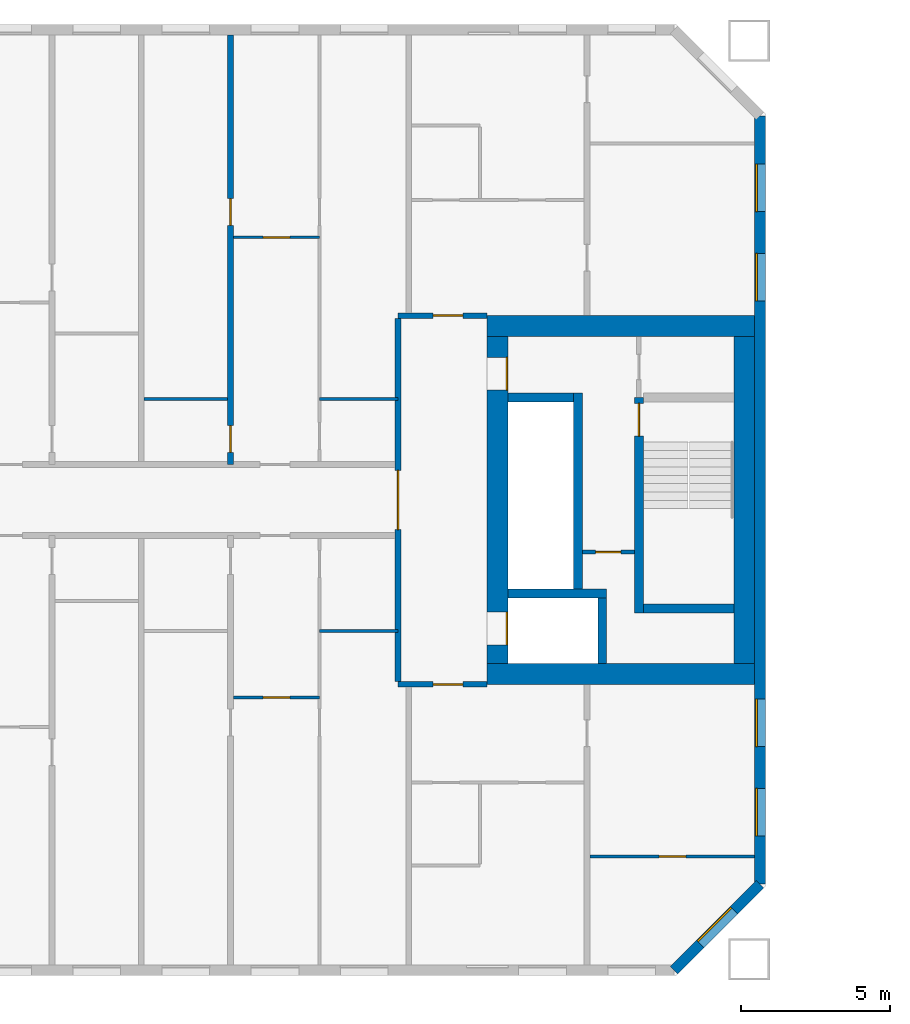
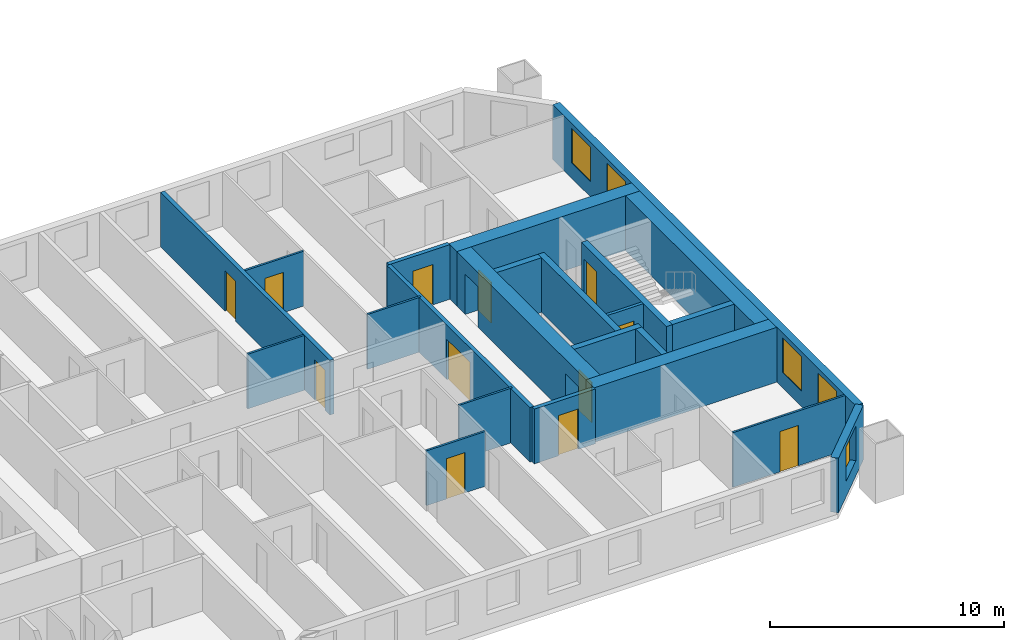
# One storey, part 7 of 17: 23 walls, 12 doors, 5 windows, 17 openings.
"""IFC4 building model written with IfcOpenShell, lengths in metres."""

from ifc_helpers import new_model, si_unit, direction, frame, frame_2d, origin, place, context, subcontext, project, spatial, rectangle, extrude, material, layer, layer_set, type_object, element, fill, save


model = new_model("IFC4")

# Units and contexts
model_context = context("Model", 3, precision=1e-05, world=origin(), true_north=direction((0.0, 1.0)))
body_context = subcontext(model_context, "Body", "Model", "MODEL_VIEW")
ifc_project = project(units=[si_unit("LENGTHUNIT", "METRE"), si_unit("AREAUNIT", "SQUARE_METRE"), si_unit("VOLUMEUNIT", "CUBIC_METRE"), si_unit("PLANEANGLEUNIT", "RADIAN"), si_unit("MASSUNIT", "GRAM", prefix="KILO")], contexts=[model_context])

# Site, building, storey
site_placement = place(None, origin())
site = spatial("IfcSite", under=ifc_project, at=site_placement, CompositionType="ELEMENT")
building_placement = place(site_placement, origin())
building = spatial("IfcBuilding", under=site, at=building_placement, Name="Tuart Gate Housing", CompositionType="ELEMENT")
storey_placement = place(building_placement, frame((0.0, 0.0, 74.699951171875)))
storey = spatial("IfcBuildingStorey", under=building, at=storey_placement, Name="L20", CompositionType="ELEMENT", Elevation=74.699951171875)

# Wall, opening, window
ifc_material_1 = material(Name="Brick", Category="masonry")
ifc_layer_1 = layer(ifc_material_1, 0.360107421875)
ifc_layer_set_1 = layer_set([ifc_layer_1], Name="Brick pier and spandrel wall 360")
wall_type_1 = type_object("IfcWallType", Name="Brick pier and spandrel wall 360", PredefinedType="STANDARD", material=ifc_layer_set_1)
wall_1_placement = place(storey_placement, frame((72.92529296875, 54.179931640625, 0.0), z_axis=(0.0, 0.0, 1.0), x_axis=(0.707106781187, 0.707106781187, 0.0)))
wall_1 = element("IfcWall", 1, at=wall_1_placement, inside=storey, type_object=wall_type_1, Name="External wall A-SE L20", PredefinedType="STANDARD", context=body_context, shape_type="SweptSolid", body=[
    extrude(rectangle(XDim=4.09375, YDim=0.360107421875, at=frame_2d((2.046875, 0.0))), origin(), (0.0, 0.0, 1.0), 2.85009765625),
])
opening_1_placement = place(wall_1_placement, frame((1.2470703125, 0.0, 0.800048828125)))
opening_1 = element("IfcOpeningElement", 2, at=opening_1_placement, cuts=wall_1, Name="Opening W1", PredefinedType="OPENING", context=body_context, shape_type="SweptSolid", body=[
    extrude(rectangle(XDim=1.60009765625, YDim=1.800048828125, at=frame_2d((0.800048828125, 0.89990234375))), frame((0.0, 0.18994140625, 0.0), z_axis=(0.0, -1.0, 0.0), x_axis=(1.0, 0.0, 0.0)), (0.0, 0.0, 1.0), 0.380126953125),
])
ifc_material_2 = material(Name="Aluminium frame with clear glass", Category="aluminium")
window_type = type_object("IfcWindowType", Name="Punched window 1600 x 1800", PartitioningType="SINGLE_PANEL", PredefinedType="WINDOW", material=ifc_material_2)
window_1_placement = place(opening_1_placement, origin())
window_1 = element("IfcWindow", 3, at=window_1_placement, inside=storey, type_object=window_type, Name="Window W1", OverallHeight=1.800048828125, OverallWidth=1.60009765625, PartitioningType="SINGLE_PANEL", PredefinedType="WINDOW", context=body_context, shape_type="SweptSolid", body=[
    extrude(rectangle(XDim=1.60009765625, YDim=1.800048828125, at=frame_2d((0.800048828125, 0.89990234375))), frame((0.0, 0.150146484375, 0.0), z_axis=(0.0, -1.0, 0.0), x_axis=(1.0, 0.0, 0.0)), (0.0, 0.0, 1.0), 0.06005859375),
])
fill(opening_1, window_1)

# Wall, openings, windows
wall_2_placement = place(storey_placement, frame((75.820068359375, 57.07470703125, 0.0), z_axis=(0.0, 0.0, 1.0), x_axis=(0.0, 1.0, 0.0)))
wall_2 = element("IfcWall", 4, at=wall_2_placement, inside=storey, type_object=wall_type_1, Name="External wall A-E L20", PredefinedType="STANDARD", context=body_context, shape_type="SweptSolid", body=[
    extrude(rectangle(XDim=25.850830078125, YDim=0.360107421875, at=frame_2d((12.92529296875, 0.0))), origin(), (0.0, 0.0, 1.0), 2.85009765625),
])
opening_2_placement = place(wall_2_placement, frame((1.62548828125, 0.0, 0.800048828125)))
opening_2 = element("IfcOpeningElement", 5, at=opening_2_placement, cuts=wall_2, Name="Opening W1", PredefinedType="OPENING", context=body_context, shape_type="SweptSolid", body=[
    extrude(rectangle(XDim=1.60009765625, YDim=1.800048828125, at=frame_2d((0.800048828125, 0.89990234375))), frame((0.0, 0.18994140625, 0.0), z_axis=(0.0, -1.0, 0.0), x_axis=(1.0, 0.0, 0.0)), (0.0, 0.0, 1.0), 0.380126953125),
])
opening_3_placement = place(wall_2_placement, frame((4.62548828125, 0.0, 0.800048828125)))
opening_3 = element("IfcOpeningElement", 6, at=opening_3_placement, cuts=wall_2, Name="Opening W1", PredefinedType="OPENING", context=body_context, shape_type="SweptSolid", body=[
    extrude(rectangle(XDim=1.60009765625, YDim=1.800048828125, at=frame_2d((0.800048828125, 0.89990234375))), frame((0.0, 0.18994140625, 0.0), z_axis=(0.0, -1.0, 0.0), x_axis=(1.0, 0.0, 0.0)), (0.0, 0.0, 1.0), 0.380126953125),
])
opening_4_placement = place(wall_2_placement, frame((19.62548828125, 0.0, 0.800048828125)))
opening_4 = element("IfcOpeningElement", 7, at=opening_4_placement, cuts=wall_2, Name="Opening W1", PredefinedType="OPENING", context=body_context, shape_type="SweptSolid", body=[
    extrude(rectangle(XDim=1.60009765625, YDim=1.800048828125, at=frame_2d((0.800048828125, 0.89990234375))), frame((0.0, 0.18994140625, 0.0), z_axis=(0.0, -1.0, 0.0), x_axis=(1.0, 0.0, 0.0)), (0.0, 0.0, 1.0), 0.380126953125),
])
opening_5_placement = place(wall_2_placement, frame((22.62548828125, 0.0, 0.800048828125)))
opening_5 = element("IfcOpeningElement", 8, at=opening_5_placement, cuts=wall_2, Name="Opening W1", PredefinedType="OPENING", context=body_context, shape_type="SweptSolid", body=[
    extrude(rectangle(XDim=1.60009765625, YDim=1.800048828125, at=frame_2d((0.800048828125, 0.89990234375))), frame((0.0, 0.18994140625, 0.0), z_axis=(0.0, -1.0, 0.0), x_axis=(1.0, 0.0, 0.0)), (0.0, 0.0, 1.0), 0.380126953125),
])
window_2_placement = place(opening_2_placement, origin())
window_2 = element("IfcWindow", 9, at=window_2_placement, inside=storey, type_object=window_type, Name="Window W1", OverallHeight=1.800048828125, OverallWidth=1.60009765625, PartitioningType="SINGLE_PANEL", PredefinedType="WINDOW", context=body_context, shape_type="SweptSolid", body=[
    extrude(rectangle(XDim=1.60009765625, YDim=1.800048828125, at=frame_2d((0.800048828125, 0.89990234375))), frame((0.0, 0.150146484375, 0.0), z_axis=(0.0, -1.0, 0.0), x_axis=(1.0, 0.0, 0.0)), (0.0, 0.0, 1.0), 0.06005859375),
])
fill(opening_2, window_2)
window_3_placement = place(opening_3_placement, origin())
window_3 = element("IfcWindow", 10, at=window_3_placement, inside=storey, type_object=window_type, Name="Window W1", OverallHeight=1.800048828125, OverallWidth=1.60009765625, PartitioningType="SINGLE_PANEL", PredefinedType="WINDOW", context=body_context, shape_type="SweptSolid", body=[
    extrude(rectangle(XDim=1.60009765625, YDim=1.800048828125, at=frame_2d((0.800048828125, 0.89990234375))), frame((0.0, 0.150146484375, 0.0), z_axis=(0.0, -1.0, 0.0), x_axis=(1.0, 0.0, 0.0)), (0.0, 0.0, 1.0), 0.06005859375),
])
fill(opening_3, window_3)
window_4_placement = place(opening_4_placement, origin())
window_4 = element("IfcWindow", 11, at=window_4_placement, inside=storey, type_object=window_type, Name="Window W1", OverallHeight=1.800048828125, OverallWidth=1.60009765625, PartitioningType="SINGLE_PANEL", PredefinedType="WINDOW", context=body_context, shape_type="SweptSolid", body=[
    extrude(rectangle(XDim=1.60009765625, YDim=1.800048828125, at=frame_2d((0.800048828125, 0.89990234375))), frame((0.0, 0.150146484375, 0.0), z_axis=(0.0, -1.0, 0.0), x_axis=(1.0, 0.0, 0.0)), (0.0, 0.0, 1.0), 0.06005859375),
])
fill(opening_4, window_4)
window_5_placement = place(opening_5_placement, origin())
window_5 = element("IfcWindow", 12, at=window_5_placement, inside=storey, type_object=window_type, Name="Window W1", OverallHeight=1.800048828125, OverallWidth=1.60009765625, PartitioningType="SINGLE_PANEL", PredefinedType="WINDOW", context=body_context, shape_type="SweptSolid", body=[
    extrude(rectangle(XDim=1.60009765625, YDim=1.800048828125, at=frame_2d((0.800048828125, 0.89990234375))), frame((0.0, 0.150146484375, 0.0), z_axis=(0.0, -1.0, 0.0), x_axis=(1.0, 0.0, 0.0)), (0.0, 0.0, 1.0), 0.06005859375),
])
fill(opening_5, window_5)

# Wall, opening, door
ifc_material_3 = material(Name="Plasterboard partition")
ifc_layer_2 = layer(ifc_material_3, 0.14990234375)
ifc_layer_set_2 = layer_set([ifc_layer_2], Name="Core partition 150")
wall_type_2 = type_object("IfcWallType", Name="Core partition 150", PredefinedType="PARTITIONING", material=ifc_layer_set_2)
wall_3_placement = place(storey_placement, frame((69.840087890625, 68.25, 0.0), z_axis=(0.0, 0.0, 1.0), x_axis=(1.0, 0.0, 0.0)))
wall_3 = element("IfcWall", 13, at=wall_3_placement, inside=storey, type_object=wall_type_2, Name="Core partition AG.3", PredefinedType="PARTITIONING", context=body_context, shape_type="SweptSolid", body=[
    extrude(rectangle(XDim=1.75, YDim=0.14990234375, at=frame_2d((0.875, 0.0))), origin(), (0.0, 0.0, 1.0), 2.85009765625),
])
opening_6_placement = place(wall_3_placement, frame((0.449951171875, 0.0, 0.0)))
opening_6 = element("IfcOpeningElement", 14, at=opening_6_placement, cuts=wall_3, Name="Opening D870", PredefinedType="OPENING", context=body_context, shape_type="SweptSolid", body=[
    extrude(rectangle(XDim=0.85009765625, YDim=2.10009765625, at=frame_2d((0.425048828125, 1.050048828125))), frame((0.0, 0.0849609375, 0.0), z_axis=(0.0, -1.0, 0.0), x_axis=(1.0, 0.0, 0.0)), (0.0, 0.0, 1.0), 0.169921875),
])
ifc_material_4 = material(Name="Steel fire door", Category="steel")
door_type_1 = type_object("IfcDoorType", Name="Riser door 850 x 2100 RH", OperationType="SINGLE_SWING_RIGHT", PredefinedType="DOOR", material=ifc_material_4)
door_1_placement = place(opening_6_placement, frame((0.85009765625, 0.0, 0.0), z_axis=(0.0, 0.0, 1.0), x_axis=(-1.0, 0.0, 0.0)))
door_1 = element("IfcDoor", 15, at=door_1_placement, inside=storey, type_object=door_type_1, Name="Service room door AG.E1", OperationType="SINGLE_SWING_RIGHT", OverallHeight=2.10009765625, OverallWidth=0.85009765625, PredefinedType="DOOR", context=body_context, shape_type="SweptSolid", body=[
    extrude(rectangle(XDim=0.85009765625, YDim=2.10009765625, at=frame_2d((0.425048828125, 1.050048828125))), frame((0.0, 0.025146484375, 0.0), z_axis=(0.0, -1.0, 0.0), x_axis=(1.0, 0.0, 0.0)), (0.0, 0.0, 1.0), 0.050048828125),
])
fill(opening_6, door_1)

# Walls
ifc_material_5 = material(Name="Concrete C50", Category="concrete")
ifc_layer_3 = layer(ifc_material_5, 0.300048828125)
ifc_layer_set_3 = layer_set([ifc_layer_3], Name="Core wall 300 C50")
wall_type_3 = type_object("IfcWallType", Name="Core wall 300 C50", PredefinedType="SHEAR", material=ifc_layer_set_3)
wall_4_placement = place(storey_placement, frame((71.889892578125, 66.35009765625, 0.0), z_axis=(0.0, 0.0, 1.0), x_axis=(1.0, 0.0, 0.0)))
element("IfcWall", 16, at=wall_4_placement, inside=storey, type_object=wall_type_3, Name="Core wall AG.1", PredefinedType="SHEAR", context=body_context, shape_type="SweptSolid", body=[
    extrude(rectangle(XDim=3.050048828125, YDim=0.300048828125, at=frame_2d((1.52490234375, 0.0))), origin(), (0.0, 0.0, 1.0), 2.85009765625),
])
wall_5_placement = place(storey_placement, frame((67.340087890625, 66.85009765625, 0.0), z_axis=(0.0, 0.0, 1.0), x_axis=(1.0, 0.0, 0.0)))
element("IfcWall", 17, at=wall_5_placement, inside=storey, type_object=wall_type_3, Name="Core wall AG.2", PredefinedType="SHEAR", context=body_context, shape_type="SweptSolid", body=[
    extrude(rectangle(XDim=3.31982421875, YDim=0.300048828125, at=frame_2d((1.659912109375, 0.0))), origin(), (0.0, 0.0, 1.0), 2.85009765625),
])
wall_6_placement = place(storey_placement, frame((67.340087890625, 73.449951171875, 0.0), z_axis=(0.0, 0.0, 1.0), x_axis=(1.0, 0.0, 0.0)))
element("IfcWall", 18, at=wall_6_placement, inside=storey, type_object=wall_type_3, Name="Core wall AG.4", PredefinedType="SHEAR", context=body_context, shape_type="SweptSolid", body=[
    extrude(rectangle(XDim=2.199951171875, YDim=0.300048828125, at=frame_2d((1.10009765625, 0.0))), origin(), (0.0, 0.0, 1.0), 2.85009765625),
])
wall_7_placement = place(storey_placement, frame((69.68994140625, 67.0, 0.0), z_axis=(0.0, 0.0, 1.0), x_axis=(0.0, 1.0, 0.0)))
element("IfcWall", 19, at=wall_7_placement, inside=storey, type_object=wall_type_3, Name="Core wall AG.6", PredefinedType="SHEAR", context=body_context, shape_type="SweptSolid", body=[
    extrude(rectangle(XDim=6.60009765625, YDim=0.300048828125, at=frame_2d((3.300048828125, 0.0))), origin(), (0.0, 0.0, 1.0), 2.85009765625),
])
wall_8_placement = place(storey_placement, frame((70.510009765625, 64.5, 0.0), z_axis=(0.0, 0.0, 1.0), x_axis=(0.0, 1.0, 0.0)))
element("IfcWall", 20, at=wall_8_placement, inside=storey, type_object=wall_type_3, Name="Core wall AG.7", PredefinedType="SHEAR", context=body_context, shape_type="SweptSolid", body=[
    extrude(rectangle(XDim=2.199951171875, YDim=0.300048828125, at=frame_2d((1.10009765625, 0.0))), origin(), (0.0, 0.0, 1.0), 2.85009765625),
])

# Wall, opening, door
wall_9_placement = place(storey_placement, frame((71.739990234375, 66.199951171875, 0.0), z_axis=(0.0, 0.0, 1.0), x_axis=(0.0, 1.0, 0.0)))
wall_9 = element("IfcWall", 21, at=wall_9_placement, inside=storey, type_object=wall_type_3, Name="Core wall AG.8", PredefinedType="SHEAR", context=body_context, shape_type="SweptSolid", body=[
    extrude(rectangle(XDim=7.25, YDim=0.300048828125, at=frame_2d((3.625, 0.0))), origin(), (0.0, 0.0, 1.0), 2.85009765625),
])
opening_7_placement = place(wall_9_placement, frame((5.949951171875, 0.0, 0.0)))
opening_7 = element("IfcOpeningElement", 22, at=opening_7_placement, cuts=wall_9, Name="Opening D867", PredefinedType="OPENING", context=body_context, shape_type="SweptSolid", body=[
    extrude(rectangle(XDim=1.10009765625, YDim=2.10009765625, at=frame_2d((0.550048828125, 1.050048828125))), frame((0.0, 0.159912109375, 0.0), z_axis=(0.0, -1.0, 0.0), x_axis=(1.0, 0.0, 0.0)), (0.0, 0.0, 1.0), 0.320068359375),
])
ifc_material_6 = material(Name="Steel fire door", Category="steel")
door_type_2 = type_object("IfcDoorType", Name="Stair door 1100 x 2100", OperationType="SINGLE_SWING_LEFT", PredefinedType="DOOR", material=ifc_material_6)
door_2_placement = place(opening_7_placement, frame((1.10009765625, 0.0, 0.0), z_axis=(0.0, 0.0, 1.0), x_axis=(-1.0, 0.0, 0.0)))
door_2 = element("IfcDoor", 23, at=door_2_placement, inside=storey, type_object=door_type_2, Name="Stair door AG.SD", OperationType="SINGLE_SWING_LEFT", OverallHeight=2.10009765625, OverallWidth=1.10009765625, PredefinedType="DOOR", context=body_context, shape_type="SweptSolid", body=[
    extrude(rectangle(XDim=1.10009765625, YDim=2.10009765625, at=frame_2d((0.550048828125, 1.050048828125))), frame((0.0, 0.025146484375, 0.0), z_axis=(0.0, -1.0, 0.0), x_axis=(1.0, 0.0, 0.0)), (0.0, 0.0, 1.0), 0.050048828125),
])
fill(opening_7, door_2)

# Wall, openings, doors
ifc_material_7 = material(Name="Concrete C50", Category="concrete")
ifc_layer_4 = layer(ifc_material_7, 0.699951171875)
ifc_layer_set_4 = layer_set([ifc_layer_4], Name="Core wall 700 C50")
wall_type_4 = type_object("IfcWallType", Name="Core wall 700 C50", PredefinedType="SHEAR", material=ifc_layer_set_4)
wall_10_placement = place(storey_placement, frame((66.989990234375, 64.5, 0.0), z_axis=(0.0, 0.0, 1.0), x_axis=(0.0, 1.0, 0.0)))
wall_10 = element("IfcWall", 24, at=wall_10_placement, inside=storey, type_object=wall_type_4, Name="Core wall AG front", PredefinedType="SHEAR", context=body_context, shape_type="SweptSolid", body=[
    extrude(rectangle(XDim=11.0, YDim=0.699951171875, at=frame_2d((5.5, 0.0))), origin(), (0.0, 0.0, 1.0), 2.85009765625),
])
opening_8_placement = place(wall_10_placement, frame((0.625, 0.0, 0.0)))
opening_8 = element("IfcOpeningElement", 25, at=opening_8_placement, cuts=wall_10, Name="Opening LD-FA1", PredefinedType="OPENING", context=body_context, shape_type="SweptSolid", body=[
    extrude(rectangle(XDim=1.10009765625, YDim=2.10009765625, at=frame_2d((0.550048828125, 1.050048828125))), frame((0.0, 0.35986328125, 0.0), z_axis=(0.0, -1.0, 0.0), x_axis=(1.0, 0.0, 0.0)), (0.0, 0.0, 1.0), 0.719970703125),
])
opening_9_placement = place(wall_10_placement, frame((9.199951171875, 0.0, 0.0)))
opening_9 = element("IfcOpeningElement", 26, at=opening_9_placement, cuts=wall_10, Name="Opening D866", PredefinedType="OPENING", context=body_context, shape_type="SweptSolid", body=[
    extrude(rectangle(XDim=1.10009765625, YDim=2.10009765625, at=frame_2d((0.550048828125, 1.050048828125))), frame((0.0, 0.35986328125, 0.0), z_axis=(0.0, -1.0, 0.0), x_axis=(1.0, 0.0, 0.0)), (0.0, 0.0, 1.0), 0.719970703125),
])
ifc_material_8 = material(Name="Stainless steel", Category="steel")
door_type_3 = type_object("IfcDoorType", Name="Landing door 1100 x 2100", OperationType="DOUBLE_DOOR_SLIDING", PredefinedType="DOOR", material=ifc_material_8)
door_3_placement = place(opening_8_placement, origin())
door_3 = element("IfcDoor", 27, at=door_3_placement, inside=storey, type_object=door_type_3, Name="Lift landing door FA1", OperationType="DOUBLE_DOOR_SLIDING", OverallHeight=2.10009765625, OverallWidth=1.10009765625, PredefinedType="DOOR", context=body_context, shape_type="SweptSolid", body=[
    extrude(rectangle(XDim=1.10009765625, YDim=2.10009765625, at=frame_2d((0.550048828125, 1.050048828125))), frame((0.0, -0.28515625, 0.0), z_axis=(0.0, -1.0, 0.0), x_axis=(1.0, 0.0, 0.0)), (0.0, 0.0, 1.0), 0.050048828125),
])
fill(opening_8, door_3)
ifc_material_9 = material(Name="Steel fire door", Category="steel")
door_type_4 = type_object("IfcDoorType", Name="Lobby door 1100 x 2100 RH", OperationType="SINGLE_SWING_RIGHT", PredefinedType="DOOR", material=ifc_material_9)
door_4_placement = place(opening_9_placement, frame((1.10009765625, 0.0, 0.0), z_axis=(0.0, 0.0, 1.0), x_axis=(-1.0, 0.0, 0.0)))
door_4 = element("IfcDoor", 28, at=door_4_placement, inside=storey, type_object=door_type_4, Name="Lobby entry door AG.EN", OperationType="SINGLE_SWING_RIGHT", OverallHeight=2.10009765625, OverallWidth=1.10009765625, PredefinedType="DOOR", context=body_context, shape_type="SweptSolid", body=[
    extrude(rectangle(XDim=1.10009765625, YDim=2.10009765625, at=frame_2d((0.550048828125, 1.050048828125))), frame((0.0, 0.335205078125, 0.0), z_axis=(0.0, -1.0, 0.0), x_axis=(1.0, 0.0, 0.0)), (0.0, 0.0, 1.0), 0.050048828125),
])
fill(opening_9, door_4)

# Walls
wall_11_placement = place(storey_placement, frame((75.2900390625, 64.5, 0.0), z_axis=(0.0, 0.0, 1.0), x_axis=(0.0, 1.0, 0.0)))
element("IfcWall", 29, at=wall_11_placement, inside=storey, type_object=wall_type_4, Name="Core wall AG back", PredefinedType="SHEAR", context=body_context, shape_type="SweptSolid", body=[
    extrude(rectangle(XDim=11.0, YDim=0.699951171875, at=frame_2d((5.5, 0.0))), origin(), (0.0, 0.0, 1.0), 2.85009765625),
])
for number, where, z_axis, x_axis, name in (
    (30, (66.639892578125, 64.14990234375, 0.0), (0.0, 0.0, 1.0), (1.0, 0.0, 0.0), "Core wall AG south"),
    (31, (66.639892578125, 75.85009765625, 0.0), (0.0, 0.0, 1.0), (1.0, 0.0, 0.0), "Core wall AG north"),
):
    element("IfcWall", number, at=place(storey_placement, frame(where, z_axis=z_axis, x_axis=x_axis)), inside=storey, type_object=wall_type_4, Name=name, PredefinedType="SHEAR", context=body_context, shape_type="SweptSolid", body=[
        extrude(rectangle(XDim=9.0, YDim=0.699951171875, at=frame_2d((4.5, 0.0))), origin(), (0.0, 0.0, 1.0), 2.85009765625),
    ])

# Wall, opening, door
ifc_material_10 = material(Name="Concrete masonry 15 MPa", Category="masonry")
ifc_layer_5 = layer(ifc_material_10, 0.199951171875)
ifc_layer_set_5 = layer_set([ifc_layer_5], Name="Enclosure wall masonry 200")
wall_type_5 = type_object("IfcWallType", Name="Enclosure wall masonry 200", PredefinedType="PARTITIONING", material=ifc_layer_set_5)
wall_12_placement = place(storey_placement, frame((63.639892578125, 63.800048828125, 0.0), z_axis=(0.0, 0.0, 1.0), x_axis=(1.0, 0.0, 0.0)))
wall_12 = element("IfcWall", 32, at=wall_12_placement, inside=storey, type_object=wall_type_5, Name="Enclosure wall masonry 200", PredefinedType="PARTITIONING", context=body_context, shape_type="SweptSolid", body=[
    extrude(rectangle(XDim=3.0, YDim=0.199951171875, at=frame_2d((1.5, 0.0))), origin(), (0.0, 0.0, 1.0), 2.85009765625),
])
opening_10_placement = place(wall_12_placement, frame((1.179931640625, 0.0, 0.0)))
opening_10 = element("IfcOpeningElement", 33, at=opening_10_placement, cuts=wall_12, Name="Opening D874", PredefinedType="OPENING", context=body_context, shape_type="SweptSolid", body=[
    extrude(rectangle(XDim=1.0, YDim=2.10009765625, at=frame_2d((0.5, 1.050048828125))), frame((0.0, 0.10986328125, 0.0), z_axis=(0.0, -1.0, 0.0), x_axis=(1.0, 0.0, 0.0)), (0.0, 0.0, 1.0), 0.219970703125),
])
ifc_material_11 = material(Name="Timber door leaf in steel frame", Category="steel")
door_type_5 = type_object("IfcDoorType", Name="Flat entrance door 1000 RH", OperationType="SINGLE_SWING_RIGHT", PredefinedType="DOOR", material=ifc_material_11)
door_5_placement = place(opening_10_placement, frame((1.0, 0.0, 0.0), z_axis=(0.0, 0.0, 1.0), x_axis=(-1.0, 0.0, 0.0)))
door_5 = element("IfcDoor", 34, at=door_5_placement, inside=storey, type_object=door_type_5, Name="Flat entrance door", OperationType="SINGLE_SWING_RIGHT", OverallHeight=2.10009765625, OverallWidth=1.0, PredefinedType="DOOR", context=body_context, shape_type="SweptSolid", body=[
    extrude(rectangle(XDim=1.0, YDim=2.10009765625, at=frame_2d((0.5, 1.050048828125))), frame((0.0, 0.025146484375, 0.0), z_axis=(0.0, -1.0, 0.0), x_axis=(1.0, 0.0, 0.0)), (0.0, 0.0, 1.0), 0.050048828125),
])
fill(opening_10, door_5)

wall_13_placement = place(storey_placement, frame((63.639892578125, 76.199951171875, 0.0), z_axis=(0.0, 0.0, 1.0), x_axis=(1.0, 0.0, 0.0)))
wall_13 = element("IfcWall", 35, at=wall_13_placement, inside=storey, type_object=wall_type_5, Name="Enclosure wall masonry 200", PredefinedType="PARTITIONING", context=body_context, shape_type="SweptSolid", body=[
    extrude(rectangle(XDim=3.0, YDim=0.199951171875, at=frame_2d((1.5, 0.0))), origin(), (0.0, 0.0, 1.0), 2.85009765625),
])
opening_11_placement = place(wall_13_placement, frame((1.179931640625, 0.0, 0.0)))
opening_11 = element("IfcOpeningElement", 36, at=opening_11_placement, cuts=wall_13, Name="Opening D856", PredefinedType="OPENING", context=body_context, shape_type="SweptSolid", body=[
    extrude(rectangle(XDim=1.0, YDim=2.10009765625, at=frame_2d((0.5, 1.050048828125))), frame((0.0, 0.10986328125, 0.0), z_axis=(0.0, -1.0, 0.0), x_axis=(1.0, 0.0, 0.0)), (0.0, 0.0, 1.0), 0.219970703125),
])
ifc_material_12 = material(Name="Timber door leaf in steel frame", Category="steel")
door_type_6 = type_object("IfcDoorType", Name="Flat entrance door 1000", OperationType="SINGLE_SWING_LEFT", PredefinedType="DOOR", material=ifc_material_12)
door_6_placement = place(opening_11_placement, origin())
door_6 = element("IfcDoor", 37, at=door_6_placement, inside=storey, type_object=door_type_6, Name="Flat entrance door", OperationType="SINGLE_SWING_LEFT", OverallHeight=2.10009765625, OverallWidth=1.0, PredefinedType="DOOR", context=body_context, shape_type="SweptSolid", body=[
    extrude(rectangle(XDim=1.0, YDim=2.10009765625, at=frame_2d((0.5, 1.050048828125))), frame((0.0, 0.02490234375, 0.0), z_axis=(0.0, -1.0, 0.0), x_axis=(1.0, 0.0, 0.0)), (0.0, 0.0, 1.0), 0.050048828125),
])
fill(opening_11, door_6)

ifc_material_13 = material(Name="Plasterboard partition")
ifc_layer_6 = layer(ifc_material_13, 0.199951171875)
ifc_layer_set_6 = layer_set([ifc_layer_6], Name="Lobby wall 200")
wall_type_6 = type_object("IfcWallType", Name="Lobby wall 200", PredefinedType="PARTITIONING", material=ifc_layer_set_6)
wall_14_placement = place(storey_placement, frame((63.639892578125, 63.89990234375, 0.0), z_axis=(0.0, 0.0, 1.0), x_axis=(0.0, 1.0, 0.0)))
wall_14 = element("IfcWall", 38, at=wall_14_placement, inside=storey, type_object=wall_type_6, Name="Lift lobby wall AG", PredefinedType="PARTITIONING", context=body_context, shape_type="SweptSolid", body=[
    extrude(rectangle(XDim=12.2001953125, YDim=0.199951171875, at=frame_2d((6.10009765625, 0.0))), origin(), (0.0, 0.0, 1.0), 2.85009765625),
])
opening_12_placement = place(wall_14_placement, frame((5.10009765625, 0.0, 0.0)))
opening_12 = element("IfcOpeningElement", 39, at=opening_12_placement, cuts=wall_14, Name="Opening D865", PredefinedType="OPENING", context=body_context, shape_type="SweptSolid", body=[
    extrude(rectangle(XDim=2.0, YDim=2.10009765625, at=frame_2d((1.0, 1.050048828125))), frame((0.0, 0.10986328125, 0.0), z_axis=(0.0, -1.0, 0.0), x_axis=(1.0, 0.0, 0.0)), (0.0, 0.0, 1.0), 0.219970703125),
])
ifc_material_14 = material(Name="Steel fire door", Category="steel")
door_type_7 = type_object("IfcDoorType", Name="Smoke door 2000 x 2100", OperationType="DOUBLE_DOOR_SINGLE_SWING", PredefinedType="DOOR", material=ifc_material_14)
door_7_placement = place(opening_12_placement, frame((2.0, 0.0, 0.0), z_axis=(0.0, 0.0, 1.0), x_axis=(-1.0, 0.0, 0.0)))
door_7 = element("IfcDoor", 40, at=door_7_placement, inside=storey, type_object=door_type_7, Name="Lift lobby smoke door AG", OperationType="DOUBLE_DOOR_SINGLE_SWING", OverallHeight=2.10009765625, OverallWidth=2.0, PredefinedType="DOOR", context=body_context, shape_type="SweptSolid", body=[
    extrude(rectangle(XDim=2.0, YDim=2.10009765625, at=frame_2d((1.0, 1.050048828125))), frame((0.0, 0.025146484375, 0.0), z_axis=(0.0, -1.0, 0.0), x_axis=(1.0, 0.0, 0.0)), (0.0, 0.0, 1.0), 0.050048828125),
])
fill(opening_12, door_7)

ifc_material_15 = material(Name="Gypsum board on steel studs", Category="steel")
ifc_layer_7 = layer(ifc_material_15, 0.10009765625)
ifc_layer_set_7 = layer_set([ifc_layer_7], Name="Partition 100")
wall_type_7 = type_object("IfcWallType", Name="Partition 100", PredefinedType="PARTITIONING", material=ifc_layer_set_7)
wall_15_placement = place(storey_placement, frame((70.10009765625, 58.0, 0.0), z_axis=(0.0, 0.0, 1.0), x_axis=(1.0, 0.0, 0.0)))
wall_15 = element("IfcWall", 41, at=wall_15_placement, inside=storey, type_object=wall_type_7, Name="Partition 100", PredefinedType="PARTITIONING", context=body_context, shape_type="SweptSolid", body=[
    extrude(rectangle(XDim=5.539794921875, YDim=0.10009765625, at=frame_2d((2.77001953125, 0.0))), origin(), (0.0, 0.0, 1.0), 2.85009765625),
])
opening_13_placement = place(wall_15_placement, frame((2.320068359375, 0.0, 0.0)))
opening_13 = element("IfcOpeningElement", 42, at=opening_13_placement, cuts=wall_15, Name="Opening D890", PredefinedType="OPENING", context=body_context, shape_type="SweptSolid", body=[
    extrude(rectangle(XDim=0.89990234375, YDim=2.10009765625, at=frame_2d((0.449951171875, 1.050048828125))), frame((0.0, 0.06005859375, 0.0), z_axis=(0.0, -1.0, 0.0), x_axis=(1.0, 0.0, 0.0)), (0.0, 0.0, 1.0), 0.1201171875),
])
ifc_material_16 = material(Name="Timber door leaf in steel frame", Category="steel")
door_type_8 = type_object("IfcDoorType", Name="Internal door 900", OperationType="SINGLE_SWING_LEFT", PredefinedType="DOOR", material=ifc_material_16)
door_8_placement = place(opening_13_placement, frame((0.89990234375, 0.0, 0.0), z_axis=(0.0, 0.0, 1.0), x_axis=(-1.0, 0.0, 0.0)))
door_8 = element("IfcDoor", 43, at=door_8_placement, inside=storey, type_object=door_type_8, Name="Internal door", OperationType="SINGLE_SWING_LEFT", OverallHeight=2.10009765625, OverallWidth=0.89990234375, PredefinedType="DOOR", context=body_context, shape_type="SweptSolid", body=[
    extrude(rectangle(XDim=0.89990234375, YDim=2.10009765625, at=frame_2d((0.449951171875, 1.050048828125))), frame((0.0, 0.025146484375, 0.0), z_axis=(0.0, -1.0, 0.0), x_axis=(1.0, 0.0, 0.0)), (0.0, 0.0, 1.0), 0.050048828125),
])
fill(opening_13, door_8)

wall_16_placement = place(storey_placement, frame((58.10009765625, 63.360107421875, 0.0), z_axis=(0.0, 0.0, 1.0), x_axis=(1.0, 0.0, 0.0)))
wall_16 = element("IfcWall", 44, at=wall_16_placement, inside=storey, type_object=wall_type_7, Name="Partition 100", PredefinedType="PARTITIONING", context=body_context, shape_type="SweptSolid", body=[
    extrude(rectangle(XDim=2.89990234375, YDim=0.10009765625, at=frame_2d((1.449951171875, 0.0))), origin(), (0.0, 0.0, 1.0), 2.85009765625),
])
opening_14_placement = place(wall_16_placement, frame((1.0, 0.0, 0.0)))
opening_14 = element("IfcOpeningElement", 45, at=opening_14_placement, cuts=wall_16, Name="Opening D875", PredefinedType="OPENING", context=body_context, shape_type="SweptSolid", body=[
    extrude(rectangle(XDim=0.89990234375, YDim=2.10009765625, at=frame_2d((0.449951171875, 1.050048828125))), frame((0.0, 0.06005859375, 0.0), z_axis=(0.0, -1.0, 0.0), x_axis=(1.0, 0.0, 0.0)), (0.0, 0.0, 1.0), 0.1201171875),
])
ifc_material_17 = material(Name="Timber door leaf in steel frame", Category="steel")
door_type_9 = type_object("IfcDoorType", Name="Internal door 900 RH", OperationType="SINGLE_SWING_RIGHT", PredefinedType="DOOR", material=ifc_material_17)
door_9_placement = place(opening_14_placement, origin())
door_9 = element("IfcDoor", 46, at=door_9_placement, inside=storey, type_object=door_type_9, Name="Internal door", OperationType="SINGLE_SWING_RIGHT", OverallHeight=2.10009765625, OverallWidth=0.89990234375, PredefinedType="DOOR", context=body_context, shape_type="SweptSolid", body=[
    extrude(rectangle(XDim=0.89990234375, YDim=2.10009765625, at=frame_2d((0.449951171875, 1.050048828125))), frame((0.0, 0.02490234375, 0.0), z_axis=(0.0, -1.0, 0.0), x_axis=(1.0, 0.0, 0.0)), (0.0, 0.0, 1.0), 0.050048828125),
])
fill(opening_14, door_9)

# Walls
wall_17_placement = place(storey_placement, frame((61.0, 65.60009765625, 0.0), z_axis=(0.0, 0.0, 1.0), x_axis=(1.0, 0.0, 0.0)))
element("IfcWall", 47, at=wall_17_placement, inside=storey, type_object=wall_type_7, Name="Partition 100", PredefinedType="PARTITIONING", context=body_context, shape_type="SweptSolid", body=[
    extrude(rectangle(XDim=2.639892578125, YDim=0.10009765625, at=frame_2d((1.31982421875, 0.0))), origin(), (0.0, 0.0, 1.0), 2.85009765625),
])
wall_18_placement = place(storey_placement, frame((55.10009765625, 73.39990234375, 0.0), z_axis=(0.0, 0.0, 1.0), x_axis=(1.0, 0.0, 0.0)))
element("IfcWall", 48, at=wall_18_placement, inside=storey, type_object=wall_type_7, Name="Partition 100", PredefinedType="PARTITIONING", context=body_context, shape_type="SweptSolid", body=[
    extrude(rectangle(XDim=2.7998046875, YDim=0.10009765625, at=frame_2d((1.39990234375, 0.0))), origin(), (0.0, 0.0, 1.0), 2.85009765625),
])
wall_19_placement = place(storey_placement, frame((61.0, 73.39990234375, 0.0), z_axis=(0.0, 0.0, 1.0), x_axis=(1.0, 0.0, 0.0)))
element("IfcWall", 49, at=wall_19_placement, inside=storey, type_object=wall_type_7, Name="Partition 100", PredefinedType="PARTITIONING", context=body_context, shape_type="SweptSolid", body=[
    extrude(rectangle(XDim=2.639892578125, YDim=0.10009765625, at=frame_2d((1.31982421875, 0.0))), origin(), (0.0, 0.0, 1.0), 2.85009765625),
])

# Wall, opening, door
wall_20_placement = place(storey_placement, frame((58.10009765625, 78.840087890625, 0.0), z_axis=(0.0, 0.0, 1.0), x_axis=(1.0, 0.0, 0.0)))
wall_20 = element("IfcWall", 50, at=wall_20_placement, inside=storey, type_object=wall_type_7, Name="Partition 100", PredefinedType="PARTITIONING", context=body_context, shape_type="SweptSolid", body=[
    extrude(rectangle(XDim=2.89990234375, YDim=0.10009765625, at=frame_2d((1.449951171875, 0.0))), origin(), (0.0, 0.0, 1.0), 2.85009765625),
])
opening_15_placement = place(wall_20_placement, frame((1.0, 0.0, 0.0)))
opening_15 = element("IfcOpeningElement", 51, at=opening_15_placement, cuts=wall_20, Name="Opening D842", PredefinedType="OPENING", context=body_context, shape_type="SweptSolid", body=[
    extrude(rectangle(XDim=0.89990234375, YDim=2.10009765625, at=frame_2d((0.449951171875, 1.050048828125))), frame((0.0, 0.06005859375, 0.0), z_axis=(0.0, -1.0, 0.0), x_axis=(1.0, 0.0, 0.0)), (0.0, 0.0, 1.0), 0.1201171875),
])
door_10_placement = place(opening_15_placement, frame((0.89990234375, 0.0, 0.0), z_axis=(0.0, 0.0, 1.0), x_axis=(-1.0, 0.0, 0.0)))
door_10 = element("IfcDoor", 52, at=door_10_placement, inside=storey, type_object=door_type_8, Name="Internal door", OperationType="SINGLE_SWING_LEFT", OverallHeight=2.10009765625, OverallWidth=0.89990234375, PredefinedType="DOOR", context=body_context, shape_type="SweptSolid", body=[
    extrude(rectangle(XDim=0.89990234375, YDim=2.10009765625, at=frame_2d((0.449951171875, 1.050048828125))), frame((0.0, 0.025146484375, 0.0), z_axis=(0.0, -1.0, 0.0), x_axis=(1.0, 0.0, 0.0)), (0.0, 0.0, 1.0), 0.050048828125),
])
fill(opening_15, door_10)

# Wall, openings, doors
ifc_material_18 = material(Name="Concrete C40", Category="concrete")
ifc_layer_8 = layer(ifc_material_18, 0.199951171875)
ifc_layer_set_8 = layer_set([ifc_layer_8], Name="Party wall concrete C40 200")
wall_type_8 = type_object("IfcWallType", Name="Party wall concrete C40 200", PredefinedType="SOLIDWALL", material=ifc_layer_set_8)
wall_21_placement = place(storey_placement, frame((58.0, 71.199951171875, 0.0), z_axis=(0.0, 0.0, 1.0), x_axis=(0.0, 1.0, 0.0)))
wall_21 = element("IfcWall", 53, at=wall_21_placement, inside=storey, type_object=wall_type_8, Name="Party wall concrete C40 200", PredefinedType="SOLIDWALL", context=body_context, shape_type="SweptSolid", body=[
    extrude(rectangle(XDim=14.43994140625, YDim=0.199951171875, at=frame_2d((7.219970703125, 0.0))), origin(), (0.0, 0.0, 1.0), 2.85009765625),
])
opening_16_placement = place(wall_21_placement, frame((8.0400390625, 0.0, 0.0)))
opening_16 = element("IfcOpeningElement", 54, at=opening_16_placement, cuts=wall_21, Name="Opening D852", PredefinedType="OPENING", context=body_context, shape_type="SweptSolid", body=[
    extrude(rectangle(XDim=0.89990234375, YDim=2.10009765625, at=frame_2d((0.449951171875, 1.050048828125))), frame((0.0, 0.10986328125, 0.0), z_axis=(0.0, -1.0, 0.0), x_axis=(1.0, 0.0, 0.0)), (0.0, 0.0, 1.0), 0.219970703125),
])
opening_17_placement = place(wall_21_placement, frame((0.39990234375, 0.0, 0.0)))
opening_17 = element("IfcOpeningElement", 55, at=opening_17_placement, cuts=wall_21, Name="Opening D851", PredefinedType="OPENING", context=body_context, shape_type="SweptSolid", body=[
    extrude(rectangle(XDim=0.89990234375, YDim=2.10009765625, at=frame_2d((0.449951171875, 1.050048828125))), frame((0.0, 0.10986328125, 0.0), z_axis=(0.0, -1.0, 0.0), x_axis=(1.0, 0.0, 0.0)), (0.0, 0.0, 1.0), 0.219970703125),
])
ifc_material_19 = material(Name="Timber door leaf in steel frame", Category="steel")
door_type_10 = type_object("IfcDoorType", Name="Bathroom door 900", OperationType="SINGLE_SWING_LEFT", PredefinedType="DOOR", material=ifc_material_19)
door_11_placement = place(opening_17_placement, origin())
door_11 = element("IfcDoor", 56, at=door_11_placement, inside=storey, type_object=door_type_10, Name="Bathroom door", OperationType="SINGLE_SWING_LEFT", OverallHeight=2.10009765625, OverallWidth=0.89990234375, PredefinedType="DOOR", context=body_context, shape_type="SweptSolid", body=[
    extrude(rectangle(XDim=0.89990234375, YDim=2.10009765625, at=frame_2d((0.449951171875, 1.050048828125))), frame((0.0, 0.02490234375, 0.0), z_axis=(0.0, -1.0, 0.0), x_axis=(1.0, 0.0, 0.0)), (0.0, 0.0, 1.0), 0.050048828125),
])
fill(opening_17, door_11)
door_12_placement = place(opening_16_placement, origin())
door_12 = element("IfcDoor", 57, at=door_12_placement, inside=storey, type_object=door_type_9, Name="Internal door", OperationType="SINGLE_SWING_RIGHT", OverallHeight=2.10009765625, OverallWidth=0.89990234375, PredefinedType="DOOR", context=body_context, shape_type="SweptSolid", body=[
    extrude(rectangle(XDim=0.89990234375, YDim=2.10009765625, at=frame_2d((0.449951171875, 1.050048828125))), frame((0.0, 0.02490234375, 0.0), z_axis=(0.0, -1.0, 0.0), x_axis=(1.0, 0.0, 0.0)), (0.0, 0.0, 1.0), 0.050048828125),
])
fill(opening_16, door_12)

save(model, "model.ifc")
